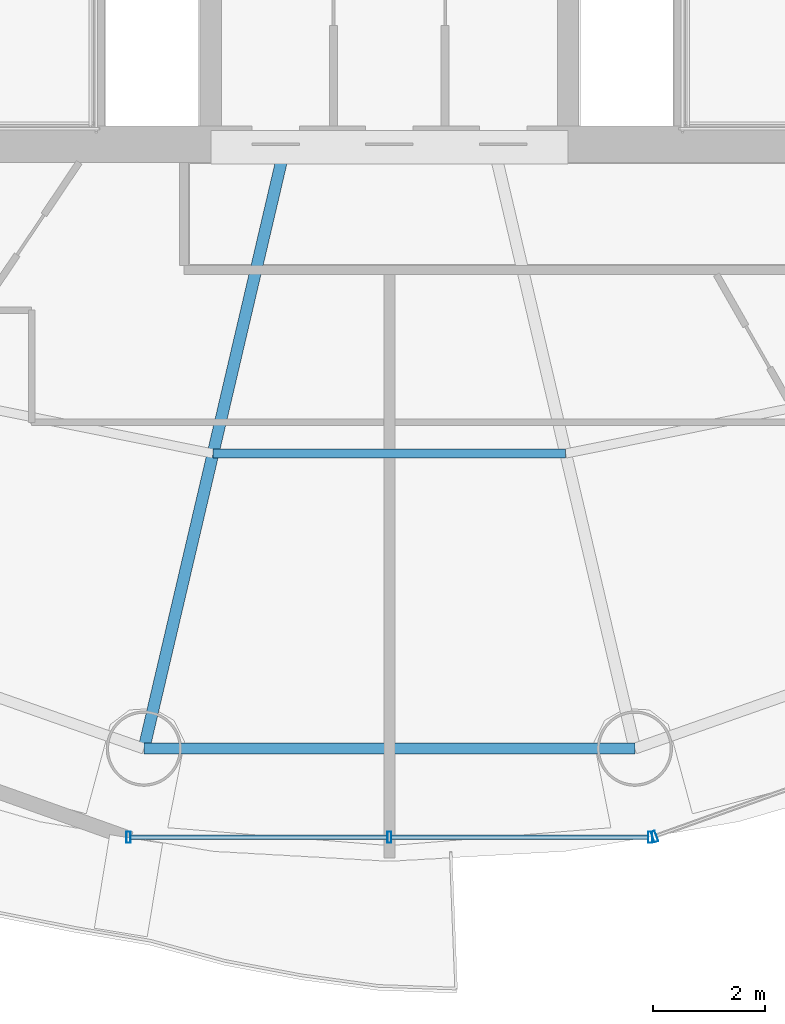
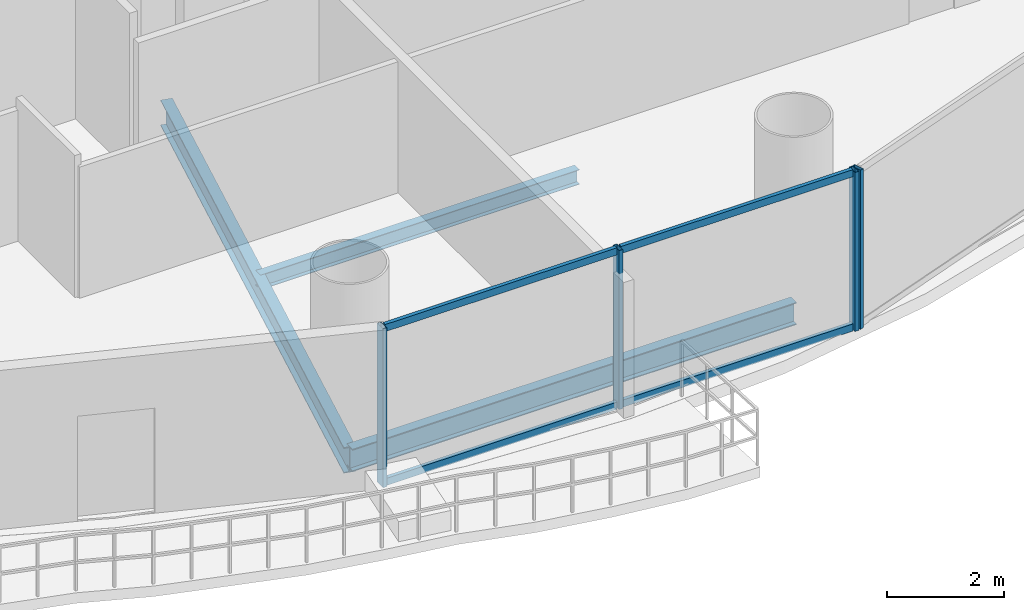
# One storey, part 4 of 26: 8 members, 3 beams, 2 elements without a shape of their own.
"""IFC4 building model written with IfcOpenShell, lengths in metres."""

from ifc_helpers import new_model, si_unit, direction, frame, origin, origin_2d, place, context, subcontext, project, spatial, hollow_rectangle, i_section, extrude, source, transform, mapped, material, material_profile, profile_set, type_object, element, aggregate, save


model = new_model("IFC4")

# Units and contexts
model_context = context("Model", 3, precision=1e-05, world=origin(), true_north=direction((-0.2419218956, 0.970295726276)))
body_context = subcontext(model_context, "Body", "Model", "MODEL_VIEW")
ifc_project = project(units=[si_unit("LENGTHUNIT", "METRE"), si_unit("AREAUNIT", "SQUARE_METRE"), si_unit("VOLUMEUNIT", "CUBIC_METRE"), si_unit("PLANEANGLEUNIT", "RADIAN"), si_unit("MASSUNIT", "GRAM", prefix="KILO")], contexts=[model_context])

# Site, building, storey
site_placement = place(None, origin())
site = spatial("IfcSite", under=ifc_project, at=site_placement, CompositionType="ELEMENT")
building_placement = place(site_placement, origin())
building = spatial("IfcBuilding", under=site, at=building_placement, Name="Cobrevalo Terracotta Tower", CompositionType="ELEMENT")
storey_placement = place(building_placement, frame((0.0, 0.0, 175.0)))
storey = spatial("IfcBuildingStorey", under=building, at=storey_placement, Name="L46", CompositionType="ELEMENT", Elevation=175.0)

# Beams
ifc_material_1 = material(Name="Steel S355", Category="steel")
ifc_material_profile_1 = material_profile(ifc_material_1, i_section(OverallWidth=0.2109375, OverallDepth=0.5390625, WebThickness=0.01171875, FlangeThickness=0.018798828125, at=origin_2d()), Name="W 530x109")
ifc_profile_set_1 = profile_set([ifc_material_profile_1], Name="Steel S355")
beam_type_1 = type_object("IfcBeamType", Name="Structural Beam W 530x109 (Steel S355)", PredefinedType="BEAM", material=ifc_profile_set_1)
beam_1_placement = place(storey_placement, frame((33.600830078125, 8.01806640625, -0.53955078125), z_axis=(0.228045854186, 0.973650393308, 0.0), x_axis=(-0.973650393308, 0.228045854186, 0.0)))
element("IfcBeam", 1, at=beam_1_placement, inside=storey, type_object=beam_type_1, Name="L46 radial floor girder 12", PredefinedType="BEAM", context=body_context, shape_type="SweptSolid", body=[
    extrude(i_section(OverallWidth=0.2109375, OverallDepth=0.5390625, WebThickness=0.01171875, FlangeThickness=0.018798828125, at=origin_2d()), origin(), (0.0, 0.0, 1.0), 10.863037109375),
])
ifc_material_profile_2 = material_profile(ifc_material_1, i_section(OverallWidth=0.1650390625, OverallDepth=0.31005859375, WebThickness=0.005859375, FlangeThickness=0.009765625, at=origin_2d()), Name="W 310x38.7")
ifc_profile_set_2 = profile_set([ifc_material_profile_2], Name="Steel S355")
beam_type_2 = type_object("IfcBeamType", Name="Structural Joist W 310x38.7 (Steel S355)", PredefinedType="JOIST", material=ifc_profile_set_2)
beam_2_placement = place(storey_placement, frame((34.83935546875, 13.306396484375, -0.425048828125), z_axis=(1.0, 0.0, 0.0), x_axis=(0.0, 1.0, 0.0)))
element("IfcBeam", 2, at=beam_2_placement, inside=storey, type_object=beam_type_2, Name="L46 circumferential secondary floor joist 12", PredefinedType="JOIST", context=body_context, shape_type="SweptSolid", body=[
    extrude(i_section(OverallWidth=0.1650390625, OverallDepth=0.31005859375, WebThickness=0.005859375, FlangeThickness=0.009765625, at=origin_2d()), origin(), (0.0, 0.0, 1.0), 6.3212890625),
])
ifc_material_profile_3 = material_profile(ifc_material_1, i_section(OverallWidth=0.194091796875, OverallDepth=0.468994140625, WebThickness=0.011474609375, FlangeThickness=0.0205078125, at=origin_2d()), Name="W 460x106")
ifc_profile_set_3 = profile_set([ifc_material_profile_3], Name="Steel S355")
beam_type_3 = type_object("IfcBeamType", Name="Structural Spandrel W 460x106 (Steel S355)", PredefinedType="SPANDREL", material=ifc_profile_set_3)
beam_3_placement = place(storey_placement, frame((33.600830078125, 8.01806640625, -0.50439453125), z_axis=(1.0, 0.0, 0.0), x_axis=(0.0, 1.0, 0.0)))
element("IfcBeam", 3, at=beam_3_placement, inside=storey, type_object=beam_type_3, Name="L46 perimeter ring spandrel 12", PredefinedType="SPANDREL", context=body_context, shape_type="SweptSolid", body=[
    extrude(i_section(OverallWidth=0.194091796875, OverallDepth=0.468994140625, WebThickness=0.011474609375, FlangeThickness=0.0205078125, at=origin_2d()), origin(), (0.0, 0.0, 1.0), 8.79833984375),
])

# Curtain wall, members
ifc_material_2 = material(Name="Anodized aluminium", Category="aluminium")
curtain_wall_type = type_object("IfcCurtainWallType", Name="Mid-tower high-wind unitised curtain wall CW-U2", PredefinedType="NOTDEFINED", material=ifc_material_2)
curtain_wall_1_placement = place(storey_placement, origin())
curtain_wall_1 = element("IfcCurtainWall", 4, at=curtain_wall_1_placement, inside=storey, type_object=curtain_wall_type, Name="L46 curtain wall CW-L46-S12", PredefinedType="NOTDEFINED")
ifc_material_profile_4 = material_profile(ifc_material_2, hollow_rectangle(XDim=0.074951171875, YDim=0.199951171875, WallThickness=0.0048828125, at=origin_2d()), Name="CWM 75x200")
ifc_profile_set_4 = profile_set([ifc_material_profile_4], Name="Anodized aluminium")
member_type_1 = type_object("IfcMemberType", Name="Lower/mid tower unitised mullion 75x200", PredefinedType="MULLION", material=ifc_profile_set_4)
shared_shape_1 = source(origin(), body_context, "Body", "SweptSolid", [
    extrude(hollow_rectangle(XDim=0.074951171875, YDim=0.199951171875, WallThickness=0.0048828125, at=origin_2d()), origin(), (0.0, 0.0, 1.0), 3.330078125),
])
member_1_placement = place(storey_placement, frame((33.32470703125, 6.42919921875, 0.0), z_axis=(0.0, 0.0, 1.0), x_axis=(1.0, 0.0, 0.0)))
member_1 = element("IfcMember", 5, at=member_1_placement, type_object=member_type_1, Name="CW-L46-S12 vertical mullion 01", PredefinedType="MULLION", context=body_context, shape_type="MappedRepresentation", body=[
    mapped(shared_shape_1, transform((0.0, 0.0, 0.0), scale=1.0)),
])
member_2_placement = place(storey_placement, frame((38.0, 6.42919921875, 0.0), z_axis=(0.0, 0.0, 1.0), x_axis=(1.0, 0.0, 0.0)))
member_2 = element("IfcMember", 6, at=member_2_placement, type_object=member_type_1, Name="CW-L46-S12 vertical mullion 02", PredefinedType="MULLION", context=body_context, shape_type="MappedRepresentation", body=[
    mapped(shared_shape_1, transform((0.0, 0.0, 0.0), scale=1.0)),
])
member_3_placement = place(storey_placement, frame((42.67529296875, 6.42919921875, 0.0), z_axis=(0.0, 0.0, 1.0), x_axis=(1.0, 0.0, 0.0)))
member_3 = element("IfcMember", 7, at=member_3_placement, type_object=member_type_1, Name="CW-L46-S12 vertical mullion 03", PredefinedType="MULLION", context=body_context, shape_type="MappedRepresentation", body=[
    mapped(shared_shape_1, transform((0.0, 0.0, 0.0), scale=1.0)),
])

# Curtain wall, member
curtain_wall_2_placement = place(storey_placement, origin())
curtain_wall_2 = element("IfcCurtainWall", 8, at=curtain_wall_2_placement, inside=storey, type_object=curtain_wall_type, Name="L46 curtain wall CW-L46-S13", PredefinedType="NOTDEFINED")
member_4_placement = place(storey_placement, frame((42.7529296875, 6.4423828125, 0.0), z_axis=(0.0, 0.0, 1.0), x_axis=(0.942098428897, 0.335336473217, 0.0)))
member_4 = element("IfcMember", 9, at=member_4_placement, type_object=member_type_1, Name="CW-L46-S13 vertical mullion 01", PredefinedType="MULLION", context=body_context, shape_type="MappedRepresentation", body=[
    mapped(shared_shape_1, transform((0.0, 0.0, 0.0), scale=1.0)),
])
aggregate(curtain_wall_2, [member_4])

# Member
ifc_material_profile_5 = material_profile(ifc_material_2, hollow_rectangle(XDim=0.074951171875, YDim=0.14990234375, WallThickness=0.00439453125, at=origin_2d()), Name="CWT 75x150")
ifc_profile_set_5 = profile_set([ifc_material_profile_5], Name="Anodized aluminium")
member_type_2 = type_object("IfcMemberType", Name="Tower unitised aluminium transom 75x150", PredefinedType="USERDEFINED", material=ifc_profile_set_5)
shared_shape_2 = source(origin(), body_context, "Body", "SweptSolid", [
    extrude(hollow_rectangle(XDim=0.074951171875, YDim=0.14990234375, WallThickness=0.00439453125, at=origin_2d()), origin(), (0.0, 0.0, 1.0), 4.59521484375),
])
member_5_placement = place(storey_placement, frame((33.36474609375, 6.42919921875, 0.050048828125), z_axis=(1.0, 0.0, 0.0), x_axis=(0.0, 1.0, 0.0)))
member_5 = element("IfcMember", 10, at=member_5_placement, type_object=member_type_2, Name="CW-L46-S12 transom B01-T1", ObjectType="TRANSOM", PredefinedType="USERDEFINED", context=body_context, shape_type="MappedRepresentation", body=[
    mapped(shared_shape_2, transform((0.0, 0.0, 0.0), scale=1.0)),
])

member_6_placement = place(storey_placement, frame((33.36474609375, 6.42919921875, 3.280029296875), z_axis=(1.0, 0.0, 0.0), x_axis=(0.0, 1.0, 0.0)))
member_6 = element("IfcMember", 11, at=member_6_placement, type_object=member_type_2, Name="CW-L46-S12 transom B01-T2", ObjectType="TRANSOM", PredefinedType="USERDEFINED", context=body_context, shape_type="MappedRepresentation", body=[
    mapped(shared_shape_2, transform((0.0, 0.0, 0.0), scale=1.0)),
])

member_7_placement = place(storey_placement, frame((38.0400390625, 6.42919921875, 0.050048828125), z_axis=(1.0, 0.0, 0.0), x_axis=(0.0, 1.0, 0.0)))
member_7 = element("IfcMember", 12, at=member_7_placement, type_object=member_type_2, Name="CW-L46-S12 transom B02-T1", ObjectType="TRANSOM", PredefinedType="USERDEFINED", context=body_context, shape_type="MappedRepresentation", body=[
    mapped(shared_shape_2, transform((0.0, 0.0, 0.0), scale=1.0)),
])

member_8_placement = place(storey_placement, frame((38.0400390625, 6.42919921875, 3.280029296875), z_axis=(1.0, 0.0, 0.0), x_axis=(0.0, 1.0, 0.0)))
member_8 = element("IfcMember", 13, at=member_8_placement, type_object=member_type_2, Name="CW-L46-S12 transom B02-T2", ObjectType="TRANSOM", PredefinedType="USERDEFINED", context=body_context, shape_type="MappedRepresentation", body=[
    mapped(shared_shape_2, transform((0.0, 0.0, 0.0), scale=1.0)),
])

aggregate(curtain_wall_1, [member_1, member_2, member_3, member_5, member_6, member_7, member_8])

save(model, "model.ifc")
